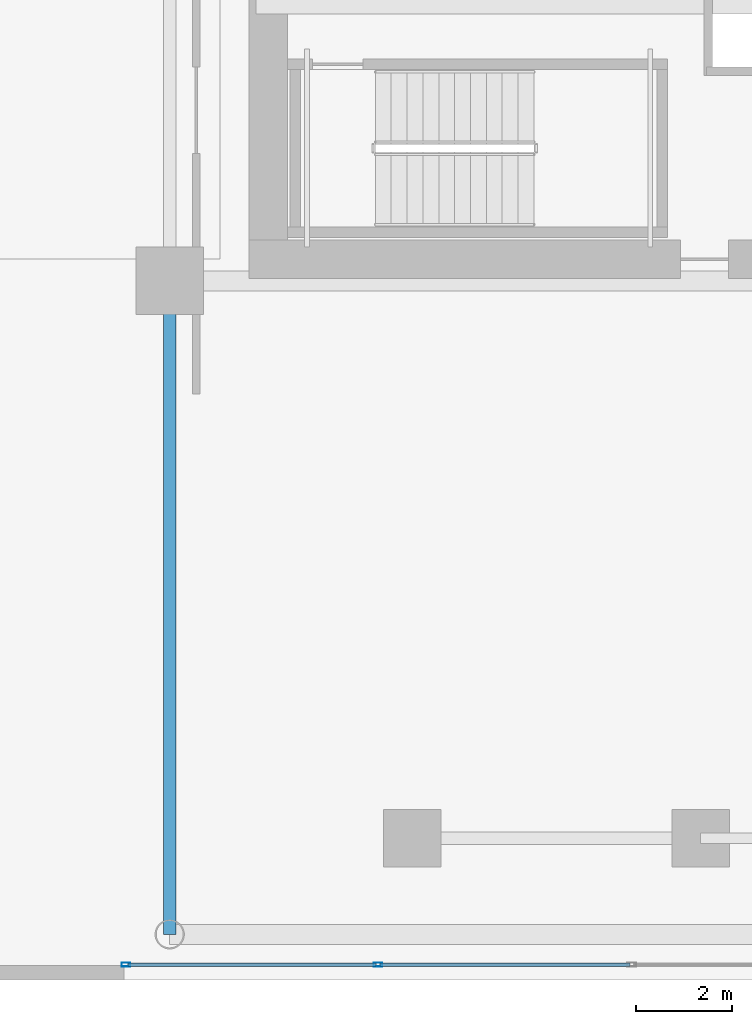
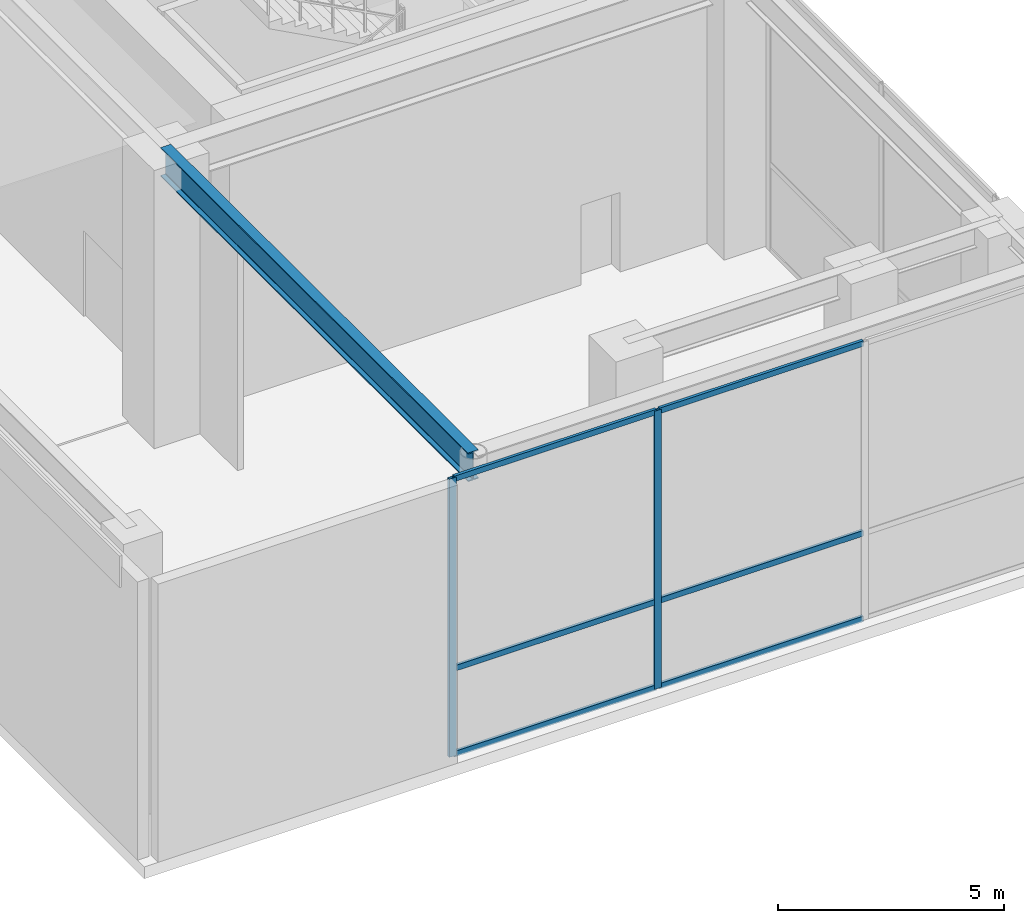
# One storey, part 3 of 29: 8 members, 1 beam, 1 element without a shape of its own.
"""IFC4 building model written with IfcOpenShell, lengths in metres."""

from ifc_helpers import new_model, si_unit, direction, frame, origin, origin_2d, place, context, subcontext, project, spatial, hollow_rectangle, i_section, extrude, source, transform, mapped, material, layer, layer_set, material_profile, profile_set, type_object, element, aggregate, save


model = new_model("IFC4")

# Units and contexts
model_context = context("Model", 3, precision=1e-05, world=origin(), true_north=direction((0.0, 1.0)))
body_context = subcontext(model_context, "Body", "Model", "MODEL_VIEW")
ifc_project = project(units=[si_unit("LENGTHUNIT", "METRE"), si_unit("AREAUNIT", "SQUARE_METRE"), si_unit("VOLUMEUNIT", "CUBIC_METRE"), si_unit("PLANEANGLEUNIT", "RADIAN"), si_unit("MASSUNIT", "GRAM", prefix="KILO")], contexts=[model_context])

# Site, building, storey
site_placement = place(None, origin())
site = spatial("IfcSite", under=ifc_project, at=site_placement, CompositionType="ELEMENT")
building_placement = place(site_placement, origin())
building = spatial("IfcBuilding", under=site, at=building_placement, Name="Ocotamira Hotel", CompositionType="ELEMENT")
storey_placement = place(building_placement, frame((0.0, 0.0, 11.39990234375)))
storey = spatial("IfcBuildingStorey", under=building, at=storey_placement, Name="L03", CompositionType="ELEMENT", Elevation=11.39990234375)

# Beam
ifc_material_1 = material(Name="Steel ASTM A992 Grade 50", Category="steel")
ifc_material_profile_1 = material_profile(ifc_material_1, i_section(OverallWidth=0.26611328125, OverallDepth=0.779052734375, WebThickness=0.0166015625, FlangeThickness=0.030029296875, FilletRadius=0.01806640625, at=origin_2d()), Name="W30X148")
ifc_profile_set_1 = profile_set([ifc_material_profile_1], Name="Steel ASTM A992 Grade 50")
beam_type = type_object("IfcBeamType", Name="BM-GIRD-W30X148", PredefinedType="BEAM", material=ifc_profile_set_1)
shared_shape_1 = source(origin(), body_context, "Body", "SweptSolid", [
    extrude(i_section(OverallWidth=0.26611328125, OverallDepth=0.779052734375, WebThickness=0.0166015625, FlangeThickness=0.030029296875, FilletRadius=0.01806640625, at=origin_2d()), origin(), (0.0, 0.0, 1.0), 13.60009765625),
])
beam_placement = place(storey_placement, frame((8.949951171875, 0.949951171875, 7.12060546875), z_axis=(0.0, 1.0, 0.0), x_axis=(-1.0, 0.0, 0.0)))
element("IfcBeam", 1, at=beam_placement, inside=storey, type_object=beam_type, Name="L03 Beam X8.95 Y0.95-14.55", PredefinedType="BEAM", context=body_context, shape_type="MappedRepresentation", body=[
    mapped(shared_shape_1, transform((0.0, 0.0, 0.0), scale=1.0)),
])

# Curtain wall, members
ifc_material_2 = material(Name="Anodised pale-metal aluminium and solar glass", Category="aluminium")
ifc_layer = layer(ifc_material_2, 0.219970703125)
ifc_layer_set = layer_set([ifc_layer], Name="Anodised pale-metal aluminium and solar glass")
curtain_wall_type = type_object("IfcCurtainWallType", Name="CW-SYS1-POD", PredefinedType="NOTDEFINED", material=ifc_layer_set)
curtain_wall_placement = place(storey_placement, origin())
curtain_wall = element("IfcCurtainWall", 2, at=curtain_wall_placement, inside=storey, type_object=curtain_wall_type, Name="L03 Curtain Wall CW-1 CW-L03-SW", PredefinedType="NOTDEFINED")
ifc_material_3 = material(Name="Anodised pale-metal aluminium 6063-T6", Category="aluminium")
ifc_material_profile_2 = material_profile(ifc_material_3, hollow_rectangle(XDim=0.074951171875, YDim=0.14990234375, WallThickness=0.006103515625, at=origin_2d()), Name="HSS150X75X6")
ifc_profile_set_2 = profile_set([ifc_material_profile_2], Name="Anodised pale-metal aluminium 6063-T6")
member_type_1 = type_object("IfcMemberType", Name="CWT-150X75", PredefinedType="USERDEFINED", material=ifc_profile_set_2)
shared_shape_2 = source(origin(), body_context, "Body", "SweptSolid", [
    extrude(hollow_rectangle(XDim=0.074951171875, YDim=0.14990234375, WallThickness=0.006103515625, at=origin_2d()), origin(), (0.0, 0.0, 1.0), 5.163330078125),
])
member_1_placement = place(storey_placement, frame((8.080078125, 0.320068359375, 0.03759765625), z_axis=(1.0, 0.0, 0.0), x_axis=(0.0, 1.0, 0.0)))
member_1 = element("IfcMember", 3, at=member_1_placement, type_object=member_type_1, Name="CW-1 transom 1.1", ObjectType="TRANSOM", PredefinedType="USERDEFINED", context=body_context, shape_type="MappedRepresentation", body=[
    mapped(shared_shape_2, transform((0.0, 0.0, 0.0), scale=1.0)),
])
member_2_placement = place(storey_placement, frame((8.080078125, 0.320068359375, 2.35009765625), z_axis=(1.0, 0.0, 0.0), x_axis=(0.0, 1.0, 0.0)))
member_2 = element("IfcMember", 4, at=member_2_placement, type_object=member_type_1, Name="CW-1 transom 1.2", ObjectType="TRANSOM", PredefinedType="USERDEFINED", context=body_context, shape_type="MappedRepresentation", body=[
    mapped(shared_shape_2, transform((0.0, 0.0, 0.0), scale=1.0)),
])
member_3_placement = place(storey_placement, frame((8.080078125, 0.320068359375, 7.47265625), z_axis=(1.0, 0.0, 0.0), x_axis=(0.0, 1.0, 0.0)))
member_3 = element("IfcMember", 5, at=member_3_placement, type_object=member_type_1, Name="CW-1 transom 1.3", ObjectType="TRANSOM", PredefinedType="USERDEFINED", context=body_context, shape_type="MappedRepresentation", body=[
    mapped(shared_shape_2, transform((0.0, 0.0, 0.0), scale=1.0)),
])
shared_shape_3 = source(origin(), body_context, "Body", "SweptSolid", [
    extrude(hollow_rectangle(XDim=0.074951171875, YDim=0.14990234375, WallThickness=0.006103515625, at=origin_2d()), origin(), (0.0, 0.0, 1.0), 5.203369140625),
])
member_4_placement = place(storey_placement, frame((13.3232421875, 0.320068359375, 0.03759765625), z_axis=(1.0, 0.0, 0.0), x_axis=(0.0, 1.0, 0.0)))
member_4 = element("IfcMember", 6, at=member_4_placement, type_object=member_type_1, Name="CW-1 transom 2.1", ObjectType="TRANSOM", PredefinedType="USERDEFINED", context=body_context, shape_type="MappedRepresentation", body=[
    mapped(shared_shape_3, transform((0.0, 0.0, 0.0), scale=1.0)),
])
member_5_placement = place(storey_placement, frame((13.3232421875, 0.320068359375, 2.35009765625), z_axis=(1.0, 0.0, 0.0), x_axis=(0.0, 1.0, 0.0)))
member_5 = element("IfcMember", 7, at=member_5_placement, type_object=member_type_1, Name="CW-1 transom 2.2", ObjectType="TRANSOM", PredefinedType="USERDEFINED", context=body_context, shape_type="MappedRepresentation", body=[
    mapped(shared_shape_3, transform((0.0, 0.0, 0.0), scale=1.0)),
])
member_6_placement = place(storey_placement, frame((13.3232421875, 0.320068359375, 7.47265625), z_axis=(1.0, 0.0, 0.0), x_axis=(0.0, 1.0, 0.0)))
member_6 = element("IfcMember", 8, at=member_6_placement, type_object=member_type_1, Name="CW-1 transom 2.3", ObjectType="TRANSOM", PredefinedType="USERDEFINED", context=body_context, shape_type="MappedRepresentation", body=[
    mapped(shared_shape_3, transform((0.0, 0.0, 0.0), scale=1.0)),
])
ifc_material_profile_3 = material_profile(ifc_material_3, hollow_rectangle(XDim=0.080078125, YDim=0.179931640625, WallThickness=0.006103515625, at=origin_2d()), Name="HSS180X80X6")
ifc_profile_set_3 = profile_set([ifc_material_profile_3], Name="Anodised pale-metal aluminium 6063-T6")
member_type_2 = type_object("IfcMemberType", Name="CWM-180X75", PredefinedType="MULLION", material=ifc_profile_set_3)
shared_shape_4 = source(origin(), body_context, "Body", "SweptSolid", [
    extrude(hollow_rectangle(XDim=0.080078125, YDim=0.179931640625, WallThickness=0.006103515625, at=origin_2d()), origin(), (0.0, 0.0, 1.0), 7.510009765625),
])
member_7_placement = place(storey_placement, frame((8.0400390625, 0.320068359375, 0.0), z_axis=(0.0, 0.0, 1.0), x_axis=(0.0, 1.0, 0.0)))
member_7 = element("IfcMember", 9, at=member_7_placement, type_object=member_type_2, Name="CW-1 mullion 1", PredefinedType="MULLION", context=body_context, shape_type="MappedRepresentation", body=[
    mapped(shared_shape_4, transform((0.0, 0.0, 0.0), scale=1.0)),
])
member_8_placement = place(storey_placement, frame((13.283447265625, 0.320068359375, 0.0), z_axis=(0.0, 0.0, 1.0), x_axis=(0.0, 1.0, 0.0)))
member_8 = element("IfcMember", 10, at=member_8_placement, type_object=member_type_2, Name="CW-1 mullion 2", PredefinedType="MULLION", context=body_context, shape_type="MappedRepresentation", body=[
    mapped(shared_shape_4, transform((0.0, 0.0, 0.0), scale=1.0)),
])
aggregate(curtain_wall, [member_7, member_8, member_1, member_2, member_3, member_4, member_5, member_6])

save(model, "model.ifc")
